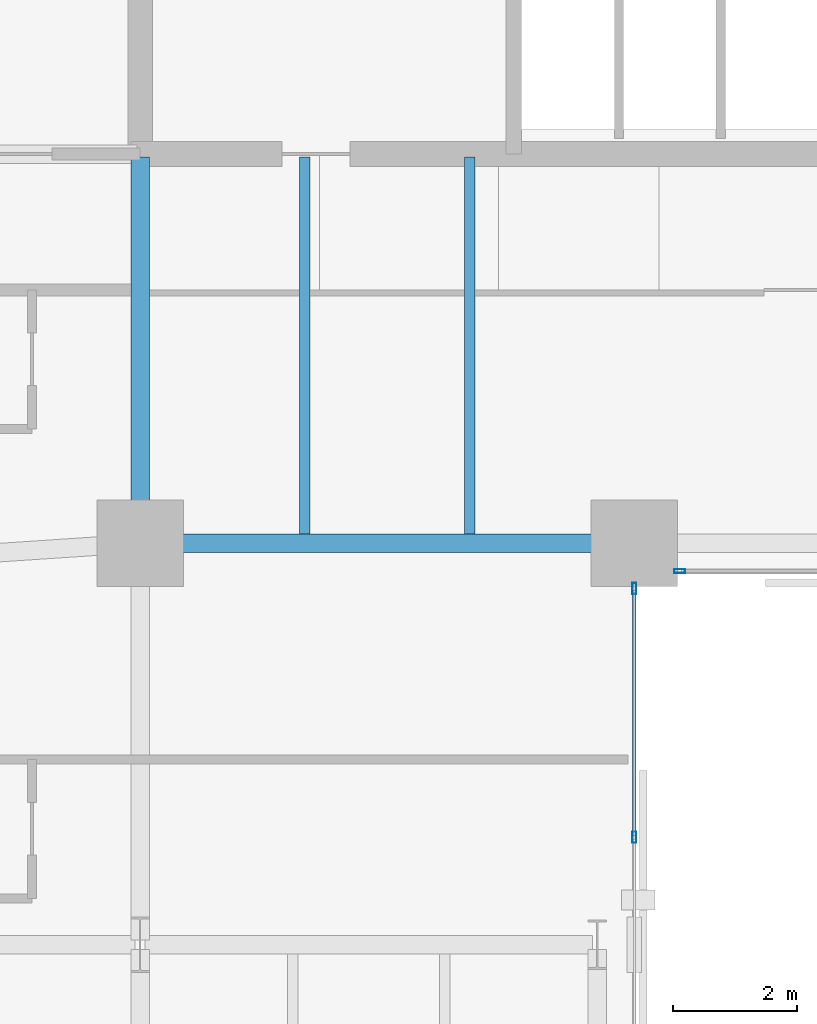
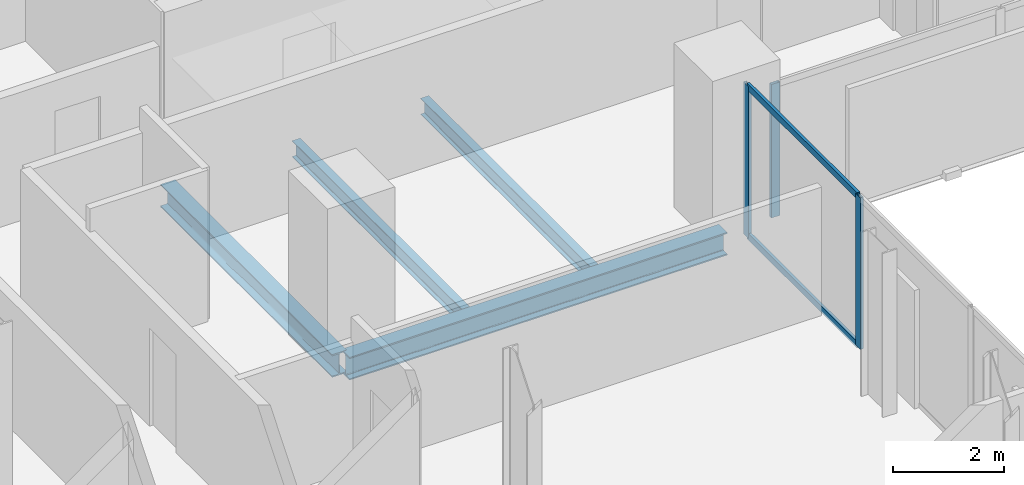
# One storey, part 13 of 32: 5 members, 4 beams, 2 elements without a shape of their own.
"""IFC4 building model written with IfcOpenShell, lengths in metres."""

from ifc_helpers import new_model, si_unit, direction, frame, origin, origin_2d, place, context, subcontext, project, spatial, hollow_rectangle, i_section, extrude, material, layer, layer_set, material_profile, profile_set, type_object, element, aggregate, save


model = new_model("IFC4")

# Units and contexts
model_context = context("Model", 3, precision=1e-05, world=origin(), true_north=direction((0.0, 1.0)))
body_context = subcontext(model_context, "Body", "Model", "MODEL_VIEW")
ifc_project = project(units=[si_unit("LENGTHUNIT", "METRE"), si_unit("AREAUNIT", "SQUARE_METRE"), si_unit("VOLUMEUNIT", "CUBIC_METRE"), si_unit("PLANEANGLEUNIT", "RADIAN"), si_unit("MASSUNIT", "GRAM", prefix="KILO")], contexts=[model_context])

# Site, building, storey
site_placement = place(None, origin())
site = spatial("IfcSite", under=ifc_project, at=site_placement, CompositionType="ELEMENT")
building_placement = place(site_placement, origin())
building = spatial("IfcBuilding", under=site, at=building_placement, Name="Catumbela Crestline Tower", CompositionType="ELEMENT")
storey_placement = place(building_placement, frame((0.0, 0.0, 61.8)))
storey = spatial("IfcBuildingStorey", under=building, at=storey_placement, Name="L15", CompositionType="ELEMENT", Elevation=61.8)

# Beams
ifc_material_1 = material(Name="Structural steel S355J2", Category="steel")
ifc_material_profile_1 = material_profile(ifc_material_1, i_section(OverallWidth=0.3, OverallDepth=0.5, WebThickness=0.0145, FlangeThickness=0.028, FilletRadius=0.027, at=origin_2d()), Name="HEB 500")
ifc_profile_set_1 = profile_set([ifc_material_profile_1], Name="Structural steel S355J2")
beam_type_1 = type_object("IfcBeamType", Name="BG-HEB500", PredefinedType="BEAM", material=ifc_profile_set_1)
beam_1_placement = place(storey_placement, frame((16.08, 24.5, -0.51), z_axis=(1.0, 0.0, 0.0), x_axis=(0.0, 1.0, 0.0)))
element("IfcBeam", 1, at=beam_1_placement, inside=storey, type_object=beam_type_1, Name="L15 Beam BM-L15-S04", PredefinedType="BEAM", context=body_context, shape_type="SweptSolid", body=[
    extrude(i_section(OverallWidth=0.3, OverallDepth=0.5, WebThickness=0.0145, FlangeThickness=0.028, FilletRadius=0.027, at=origin_2d()), origin(), (0.0, 0.0, 1.0), 7.84),
])
beam_2_placement = place(storey_placement, frame((16.0, 24.58, -0.51), z_axis=(0.0, 1.0, 0.0), x_axis=(-1.0, 0.0, 0.0)))
element("IfcBeam", 2, at=beam_2_placement, inside=storey, type_object=beam_type_1, Name="L15 Beam BM-L15-SNS31", PredefinedType="BEAM", context=body_context, shape_type="SweptSolid", body=[
    extrude(i_section(OverallWidth=0.3, OverallDepth=0.5, WebThickness=0.0145, FlangeThickness=0.028, FilletRadius=0.027, at=origin_2d()), origin(), (0.0, 0.0, 1.0), 6.17),
])
ifc_material_profile_2 = material_profile(ifc_material_1, i_section(OverallWidth=0.17, OverallDepth=0.36, WebThickness=0.008, FlangeThickness=0.0127, FilletRadius=0.018, at=origin_2d()), Name="IPE 360")
ifc_profile_set_2 = profile_set([ifc_material_profile_2], Name="Structural steel S355J2")
beam_type_2 = type_object("IfcBeamType", Name="BJ-IPE360", PredefinedType="JOIST", material=ifc_profile_set_2)
for number, where, z_axis, x_axis, name in (
    (3, (18.667, 24.647, -0.44), (0.0, 1.0, 0.0), (-1.0, 0.0, 0.0), "L15 Joist JS-L15-SP42"),
    (4, (21.333, 24.647, -0.44), (0.0, 1.0, 0.0), (-1.0, 0.0, 0.0), "L15 Joist JS-L15-SP43"),
):
    element("IfcBeam", number, at=place(storey_placement, frame(where, z_axis=z_axis, x_axis=x_axis)), inside=storey, type_object=beam_type_2, Name=name, PredefinedType="JOIST", context=body_context, shape_type="SweptSolid", body=[
        extrude(i_section(OverallWidth=0.17, OverallDepth=0.36, WebThickness=0.008, FlangeThickness=0.0127, FilletRadius=0.018, at=origin_2d()), origin(), (0.0, 0.0, 1.0), 6.103),
    ])

# Curtain wall, members
ifc_material_2 = material(Name="Aluminium alloy AW-6060-T66", Category="aluminium")
ifc_layer = layer(ifc_material_2, 0.18, Name="Aluminium alloy AW-6060-T66")
ifc_layer_set = layer_set([ifc_layer], Name="Aluminium alloy AW-6060-T66")
curtain_wall_type = type_object("IfcCurtainWallType", Name="CWU-Z1", PredefinedType="USERDEFINED", material=ifc_layer_set)
curtain_wall_1_placement = place(storey_placement, origin())
curtain_wall_1 = element("IfcCurtainWall", 5, at=curtain_wall_1_placement, inside=storey, type_object=curtain_wall_type, Name="L15 Unitised Curtain Wall CW-L15-E2S1", ObjectType="UNITISED", PredefinedType="USERDEFINED")
ifc_material_profile_3 = material_profile(ifc_material_2, hollow_rectangle(XDim=0.065, YDim=0.18, WallThickness=0.004, at=origin_2d()), Name="ALU 180x65x4")
ifc_profile_set_3 = profile_set([ifc_material_profile_3], Name="Aluminium alloy AW-6060-T66")
member_type_1 = type_object("IfcMemberType", Name="MUL-180X65", PredefinedType="MULLION", material=ifc_profile_set_3)
member_1_placement = place(storey_placement, frame((24.0, 19.74, 0.0), z_axis=(0.0, 0.0, 1.0), x_axis=(-1.0, 0.0, 0.0)))
member_1 = element("IfcMember", 6, at=member_1_placement, type_object=member_type_1, Name="CWU-Z1 mullion 5", PredefinedType="MULLION", context=body_context, shape_type="SweptSolid", body=[
    extrude(hollow_rectangle(XDim=0.065, YDim=0.18, WallThickness=0.004, at=origin_2d()), origin(), (0.0, 0.0, 1.0), 3.33),
])
member_2_placement = place(storey_placement, frame((24.0, 23.7675, 0.0), z_axis=(0.0, 0.0, 1.0), x_axis=(-1.0, 0.0, 0.0)))
member_2 = element("IfcMember", 7, at=member_2_placement, type_object=member_type_1, Name="CWU-Z1 mullion 6", PredefinedType="MULLION", context=body_context, shape_type="SweptSolid", body=[
    extrude(hollow_rectangle(XDim=0.065, YDim=0.18, WallThickness=0.004, at=origin_2d()), origin(), (0.0, 0.0, 1.0), 3.33),
])

# Curtain wall, member
curtain_wall_2_placement = place(storey_placement, origin())
curtain_wall_2 = element("IfcCurtainWall", 8, at=curtain_wall_2_placement, inside=storey, type_object=curtain_wall_type, Name="L15 Unitised Curtain Wall CW-L15-E3S1", ObjectType="UNITISED", PredefinedType="USERDEFINED")
member_3_placement = place(storey_placement, frame((24.7325, 24.05, 0.0), z_axis=(0.0, 0.0, 1.0), x_axis=(0.0, 1.0, 0.0)))
member_3 = element("IfcMember", 9, at=member_3_placement, type_object=member_type_1, Name="CWU-Z1 mullion 1", PredefinedType="MULLION", context=body_context, shape_type="SweptSolid", body=[
    extrude(hollow_rectangle(XDim=0.065, YDim=0.18, WallThickness=0.004, at=origin_2d()), origin(), (0.0, 0.0, 1.0), 2.93),
])
aggregate(curtain_wall_2, [member_3])

# Member
ifc_material_profile_4 = material_profile(ifc_material_2, hollow_rectangle(XDim=0.06, YDim=0.14, WallThickness=0.004, at=origin_2d()), Name="ALU 140x60x4")
ifc_profile_set_4 = profile_set([ifc_material_profile_4], Name="Aluminium alloy AW-6060-T66")
member_type_2 = type_object("IfcMemberType", Name="TRN-140X60", PredefinedType="USERDEFINED", material=ifc_profile_set_4)
member_4_placement = place(storey_placement, frame((24.0, 19.7725, 0.03), z_axis=(0.0, 1.0, 0.0), x_axis=(-1.0, 0.0, 0.0)))
member_4 = element("IfcMember", 10, at=member_4_placement, type_object=member_type_2, Name="CWU-Z1 transom 5.1", ObjectType="TRANSOM", PredefinedType="USERDEFINED", context=body_context, shape_type="SweptSolid", body=[
    extrude(hollow_rectangle(XDim=0.06, YDim=0.14, WallThickness=0.004, at=origin_2d()), origin(), (0.0, 0.0, 1.0), 3.9625),
])

member_5_placement = place(storey_placement, frame((24.0, 19.7725, 3.3), z_axis=(0.0, 1.0, 0.0), x_axis=(-1.0, 0.0, 0.0)))
member_5 = element("IfcMember", 11, at=member_5_placement, type_object=member_type_2, Name="CWU-Z1 transom 5.2", ObjectType="TRANSOM", PredefinedType="USERDEFINED", context=body_context, shape_type="SweptSolid", body=[
    extrude(hollow_rectangle(XDim=0.06, YDim=0.14, WallThickness=0.004, at=origin_2d()), origin(), (0.0, 0.0, 1.0), 3.9625),
])

aggregate(curtain_wall_1, [member_1, member_2, member_4, member_5])

save(model, "model.ifc")
